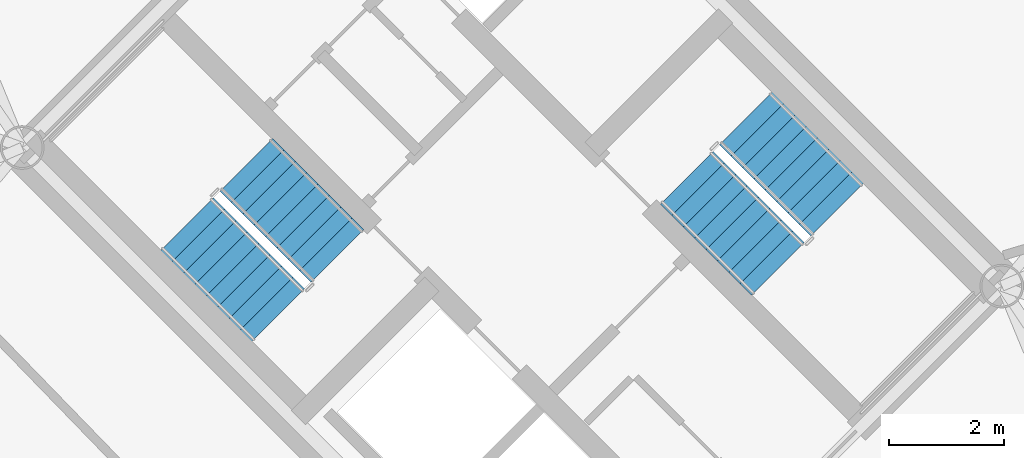
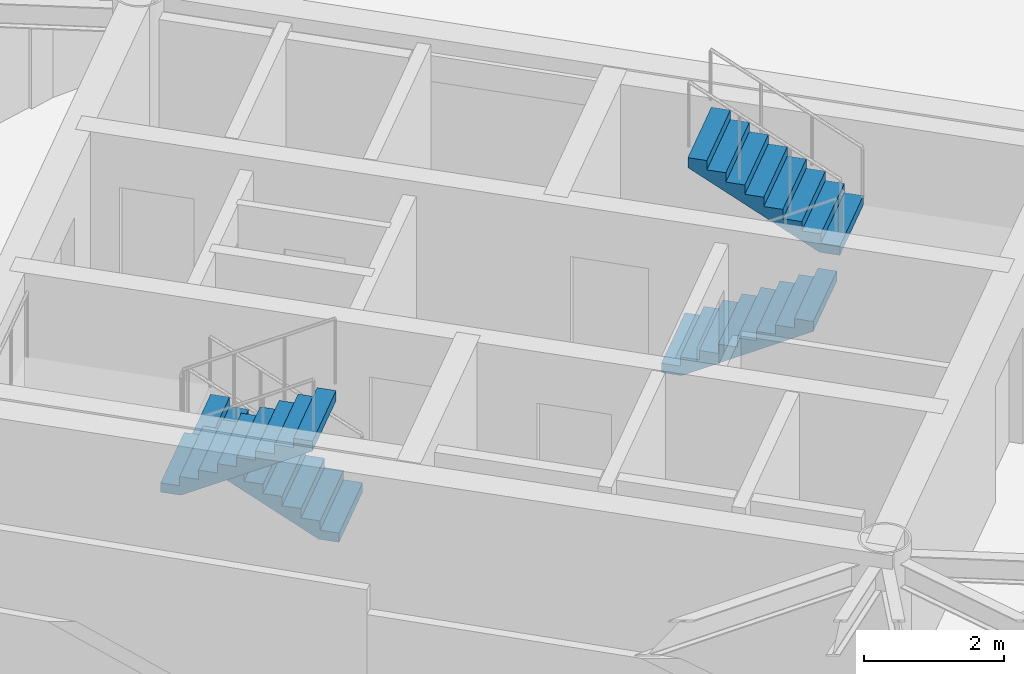
# One storey, part 15 of 18: 4 stair flights, 2 elements without a shape of their own.
"""IFC4 building model written with IfcOpenShell, lengths in metres."""

from ifc_helpers import new_model, si_unit, direction, frame, origin, place, context, subcontext, project, spatial, polyline, outline, extrude, material, type_object, element, aggregate, save


model = new_model("IFC4")

# Units and contexts
model_context = context("Model", 3, precision=1e-05, world=origin(), true_north=direction((0.0, 1.0)))
body_context = subcontext(model_context, "Body", "Model", "MODEL_VIEW")
ifc_project = project(units=[si_unit("LENGTHUNIT", "METRE"), si_unit("AREAUNIT", "SQUARE_METRE"), si_unit("VOLUMEUNIT", "CUBIC_METRE"), si_unit("PLANEANGLEUNIT", "RADIAN"), si_unit("MASSUNIT", "GRAM", prefix="KILO")], contexts=[model_context])

# Site, building, storey
site_placement = place(None, origin())
site = spatial("IfcSite", under=ifc_project, at=site_placement, CompositionType="ELEMENT")
building_placement = place(site_placement, origin())
building = spatial("IfcBuilding", under=site, at=building_placement, Name="Cununo Teusaquillo Station Towers", CompositionType="ELEMENT")
storey_placement = place(building_placement, frame((0.0, 0.0, 105.070068359375)))
storey = spatial("IfcBuildingStorey", under=building, at=storey_placement, Name="L33", CompositionType="ELEMENT", Elevation=105.070068359375)

# Stair, stair flights
ifc_material_1 = material(Name="Concrete C50/60", Category="concrete")
stair_type = type_object("IfcStairType", Name="ST-TWR-1300", PredefinedType="HALF_TURN_STAIR", material=ifc_material_1)
stair_1_placement = place(storey_placement, origin())
stair_1 = element("IfcStair", 1, at=stair_1_placement, inside=storey, type_object=stair_type, Name="L33 Tower B Protected Core Exit Stair 1", PredefinedType="HALF_TURN_STAIR")
ifc_material_2 = material(Name="Concrete C50/60", Category="concrete")
stair_flight_type = type_object("IfcStairFlightType", Name="SFL-TWR-1300", PredefinedType="STRAIGHT", material=ifc_material_2)
stair_flight_1_placement = place(storey_placement, frame((54.45947265625, 23.8212890625, 0.0), z_axis=(0.0, 0.0, 1.0), x_axis=(-0.707106781187, 0.707106781187, 0.0)))
stair_flight_1 = element("IfcStairFlight", 2, at=stair_flight_1_placement, type_object=stair_flight_type, Name="ST-T2-1 flight 1", NumberOfRisers=9, NumberOfTreads=8, PredefinedType="STRAIGHT", RiserHeight=0.161666667, TreadLength=0.28, context=body_context, shape_type="SweptSolid", body=[
    extrude(outline(polyline([(0.0, 0.0), (0.0, 0.16162109375), (0.280029296875, 0.16162109375), (0.280029296875, 0.3232421875), (0.56005859375, 0.3232421875), (0.56005859375, 0.485107421875), (0.840087890625, 0.485107421875), (0.840087890625, 0.646728515625), (1.1201171875, 0.646728515625), (1.1201171875, 0.808349609375), (1.39990234375, 0.808349609375), (1.39990234375, 0.969970703125), (1.679931640625, 0.969970703125), (1.679931640625, 1.131591796875), (1.9599609375, 1.131591796875), (1.9599609375, 1.293212890625), (2.239990234375, 1.293212890625), (2.239990234375, 1.455078125), (2.239990234375, 1.1201171875), (0.2998046875, 0.0), (0.0, 0.0)])), frame((0.0, 0.64990234375, 0.0), z_axis=(0.0, -1.0, 0.0), x_axis=(1.0, 0.0, 0.0)), (0.0, 0.0, 1.0), 1.300048828125),
])
stair_flight_2_placement = place(storey_placement, frame((51.84326171875, 24.372802734375, 1.454833984375), z_axis=(0.0, 0.0, 1.0), x_axis=(0.707106781187, -0.707106781187, 0.0)))
stair_flight_2 = element("IfcStairFlight", 3, at=stair_flight_2_placement, type_object=stair_flight_type, Name="ST-T2-1 flight 2", NumberOfRisers=9, NumberOfTreads=8, PredefinedType="STRAIGHT", RiserHeight=0.161666667, TreadLength=0.28, context=body_context, shape_type="SweptSolid", body=[
    extrude(outline(polyline([(0.0, 0.0), (0.0, 0.16162109375), (0.280029296875, 0.16162109375), (0.280029296875, 0.3232421875), (0.56005859375, 0.3232421875), (0.56005859375, 0.485107421875), (0.840087890625, 0.485107421875), (0.840087890625, 0.646728515625), (1.1201171875, 0.646728515625), (1.1201171875, 0.808349609375), (1.39990234375, 0.808349609375), (1.39990234375, 0.969970703125), (1.679931640625, 0.969970703125), (1.679931640625, 1.131591796875), (1.9599609375, 1.131591796875), (1.9599609375, 1.293212890625), (2.239990234375, 1.293212890625), (2.239990234375, 1.455078125), (2.239990234375, 1.1201171875), (0.2998046875, 0.0), (0.0, 0.0)])), frame((0.0, 0.64990234375, 0.0), z_axis=(0.0, -1.0, 0.0), x_axis=(1.0, 0.0, 0.0)), (0.0, 0.0, 1.0), 1.300048828125),
])
aggregate(stair_1, [stair_flight_1, stair_flight_2])

stair_2_placement = place(storey_placement, origin())
stair_2 = element("IfcStair", 4, at=stair_2_placement, inside=storey, type_object=stair_type, Name="L33 Tower B Protected Core Exit Stair 2", PredefinedType="HALF_TURN_STAIR")
stair_flight_3_placement = place(storey_placement, frame((60.54052734375, 25.1787109375, 0.0), z_axis=(0.0, 0.0, 1.0), x_axis=(0.707106781187, -0.707106781187, 0.0)))
stair_flight_3 = element("IfcStairFlight", 5, at=stair_flight_3_placement, type_object=stair_flight_type, Name="ST-T2-2 flight 1", NumberOfRisers=9, NumberOfTreads=8, PredefinedType="STRAIGHT", RiserHeight=0.161666667, TreadLength=0.28, context=body_context, shape_type="SweptSolid", body=[
    extrude(outline(polyline([(0.0, 0.0), (0.0, 0.16162109375), (0.280029296875, 0.16162109375), (0.280029296875, 0.3232421875), (0.56005859375, 0.3232421875), (0.56005859375, 0.485107421875), (0.840087890625, 0.485107421875), (0.840087890625, 0.646728515625), (1.1201171875, 0.646728515625), (1.1201171875, 0.808349609375), (1.39990234375, 0.808349609375), (1.39990234375, 0.969970703125), (1.679931640625, 0.969970703125), (1.679931640625, 1.131591796875), (1.9599609375, 1.131591796875), (1.9599609375, 1.293212890625), (2.239990234375, 1.293212890625), (2.239990234375, 1.455078125), (2.239990234375, 1.1201171875), (0.2998046875, 0.0), (0.0, 0.0)])), frame((0.0, 0.64990234375, 0.0), z_axis=(0.0, -1.0, 0.0), x_axis=(1.0, 0.0, 0.0)), (0.0, 0.0, 1.0), 1.300048828125),
])
stair_flight_4_placement = place(storey_placement, frame((63.15673828125, 24.627197265625, 1.454833984375), z_axis=(0.0, 0.0, 1.0), x_axis=(-0.707106781187, 0.707106781187, 0.0)))
stair_flight_4 = element("IfcStairFlight", 6, at=stair_flight_4_placement, type_object=stair_flight_type, Name="ST-T2-2 flight 2", NumberOfRisers=9, NumberOfTreads=8, PredefinedType="STRAIGHT", RiserHeight=0.161666667, TreadLength=0.28, context=body_context, shape_type="SweptSolid", body=[
    extrude(outline(polyline([(0.0, 0.0), (0.0, 0.16162109375), (0.280029296875, 0.16162109375), (0.280029296875, 0.3232421875), (0.56005859375, 0.3232421875), (0.56005859375, 0.485107421875), (0.840087890625, 0.485107421875), (0.840087890625, 0.646728515625), (1.1201171875, 0.646728515625), (1.1201171875, 0.808349609375), (1.39990234375, 0.808349609375), (1.39990234375, 0.969970703125), (1.679931640625, 0.969970703125), (1.679931640625, 1.131591796875), (1.9599609375, 1.131591796875), (1.9599609375, 1.293212890625), (2.239990234375, 1.293212890625), (2.239990234375, 1.455078125), (2.239990234375, 1.1201171875), (0.2998046875, 0.0), (0.0, 0.0)])), frame((0.0, 0.64990234375, 0.0), z_axis=(0.0, -1.0, 0.0), x_axis=(1.0, 0.0, 0.0)), (0.0, 0.0, 1.0), 1.300048828125),
])
aggregate(stair_2, [stair_flight_3, stair_flight_4])

save(model, "model.ifc")
